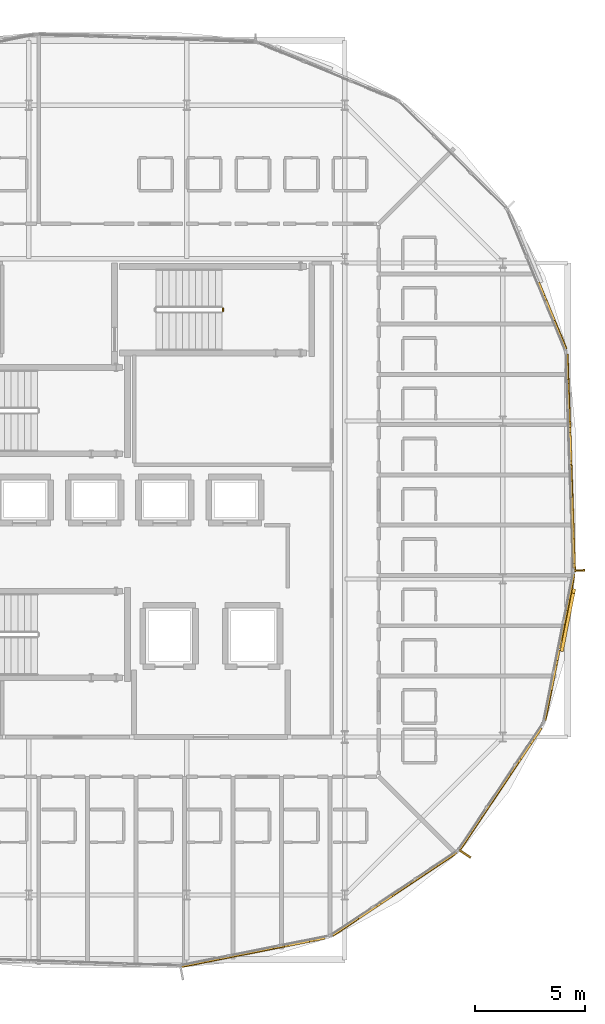
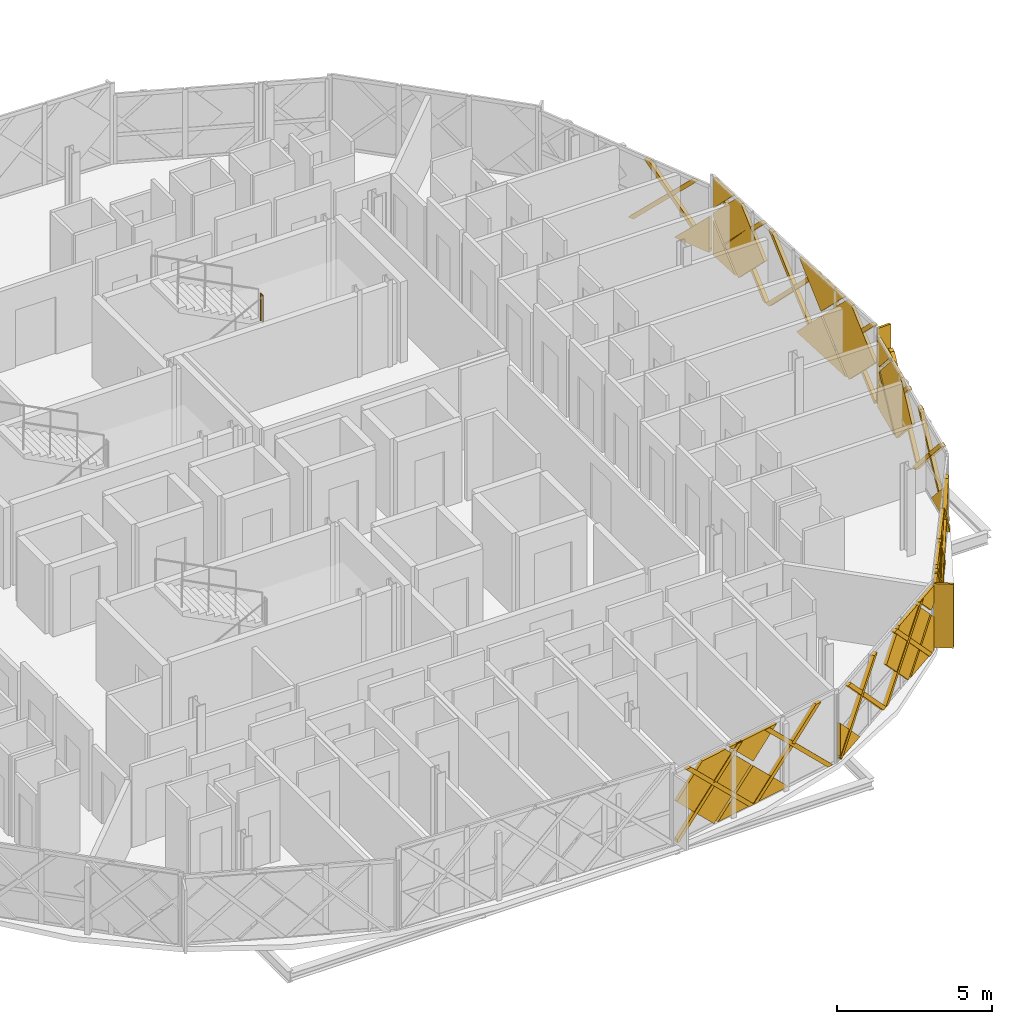
# One storey, part 23 of 25: 45 coverings, 2 shading devices, 1 railing.
"""IFC4 building model written with IfcOpenShell, lengths in metres."""

from ifc_helpers import new_model, si_unit, direction, frame, origin, origin_2d, place, context, subcontext, project, spatial, polyline, rectangle, circle, outline, extrude, material, layer, layer_set, type_object, element, save


model = new_model("IFC4")

# Units and contexts
model_context = context("Model", 3, precision=1e-05, world=origin(), true_north=direction((0.0, 1.0)))
body_context = subcontext(model_context, "Body", "Model", "MODEL_VIEW")
ifc_project = project(units=[si_unit("LENGTHUNIT", "METRE"), si_unit("AREAUNIT", "SQUARE_METRE"), si_unit("VOLUMEUNIT", "CUBIC_METRE"), si_unit("PLANEANGLEUNIT", "RADIAN"), si_unit("MASSUNIT", "GRAM", prefix="KILO")], contexts=[model_context])

# Site, building, storey
site_placement = place(None, origin())
site = spatial("IfcSite", under=ifc_project, at=site_placement, CompositionType="ELEMENT")
building_placement = place(site_placement, origin())
building = spatial("IfcBuilding", under=site, at=building_placement, Name="Zevrakil Square Congress Hotel", CompositionType="ELEMENT")
storey_placement = place(building_placement, frame((0.0, 0.0, 28.300048828125)))
storey = spatial("IfcBuildingStorey", under=building, at=storey_placement, Name="L08", CompositionType="ELEMENT", Elevation=28.300048828125)

# Coverings
ifc_material_1 = material(Name="Architectural White Fibre-C GRC", Category="concrete")
ifc_layer_1 = layer(ifc_material_1, 0.06494140625)
ifc_layer_set_1 = layer_set([ifc_layer_1], Name="Architectural White Fibre-C GRC")
covering_type_1 = type_object("IfcCoveringType", Name="COV-DIA-WHITE", PredefinedType="CLADDING", material=ifc_layer_set_1)
covering_1_placement = place(storey_placement, frame((151.773193359375, 6.94873046875, 1.58984375), z_axis=(0.195074358725, -0.980788280172, 0.000586553491), x_axis=(0.693609627274, 0.137532945708, -0.707099974401)))
element("IfcCovering", 1, at=covering_1_placement, inside=storey, type_object=covering_type_1, Name="L08 45-degree white GRC diamond facade cassette 2782", PredefinedType="CLADDING", context=body_context, shape_type="SweptSolid", body=[
    extrude(outline(polyline([(0.0, 0.0), (2.135496846686384, 0.0), (6.252147105900718e-05, -2.1353939480228528), (0.0, 0.0)])), origin(), (0.0, 0.0, -1.0), 0.1201171875),
])
covering_2_placement = place(storey_placement, frame((151.68505859375, 6.93115234375, 1.679931640625), z_axis=(0.195077218096, -0.980787695221, 0.000613092654), x_axis=(-0.693427586679, -0.138363738774, -0.707116438662)))
element("IfcCovering", 2, at=covering_2_placement, inside=storey, type_object=covering_type_1, Name="L08 45-degree white GRC diamond facade cassette 2783", PredefinedType="CLADDING", context=body_context, shape_type="SweptSolid", body=[
    extrude(outline(polyline([(0.0, 0.0), (2.248693057694774, -2.220446049250313e-16), (2.2486004493777707, -2.2345065721263824), (2.234444309736594, -2.24866231976762), (0.6929328886448523, -2.2487470149399145), (-2.6880938545859046e-05, -1.555768042789045), (0.0, 0.0)])), origin(), (0.0, 0.0, -1.0), 0.1201171875),
])
covering_3_placement = place(storey_placement, frame((151.773193359375, 6.94873046875, 1.77001953125), z_axis=(0.195093185488, -0.980784452941, 0.000711228755), x_axis=(-0.693525207754, -0.137440046102, 0.707200834232)))
element("IfcCovering", 3, at=covering_3_placement, inside=storey, type_object=covering_type_1, Name="L08 45-degree white GRC diamond facade cassette 2784", PredefinedType="CLADDING", context=body_context, shape_type="SweptSolid", body=[
    extrude(outline(polyline([(0.0, 0.0), (1.4281795449556403, 0.0), (0.00017862451576189375, -1.4283815989094044), (0.0, 0.0)])), origin(), (0.0, 0.0, -1.0), 0.1201171875),
])
covering_4_placement = place(storey_placement, frame((156.638916015625, 8.51220703125, 0.079833984375), z_axis=(0.555618744306, -0.83143696172, 0.000624229289), x_axis=(-0.831437123709, -0.555618852558, 0.0)))
element("IfcCovering", 4, at=covering_4_placement, inside=storey, type_object=covering_type_1, Name="L08 45-degree white GRC diamond facade cassette 2789", PredefinedType="CLADDING", context=body_context, shape_type="SweptSolid", body=[
    extrude(outline(polyline([(0.0, 0.0), (1.4100444252712594, -1.0842021724855044e-19), (1.4100434530275447, -1.4101565247423773), (0.0, 0.0)])), origin(), (0.0, 0.0, -1.0), 0.1201171875),
])
covering_5_placement = place(storey_placement, frame((160.97021484375, 11.407470703125, 1.58984375), z_axis=(0.555555507365, -0.831479252655, 0.000575013915), x_axis=(0.588468330439, 0.392698231195, -0.706748274343)))
element("IfcCovering", 5, at=covering_5_placement, inside=storey, type_object=covering_type_1, Name="L08 45-degree white GRC diamond facade cassette 2790", PredefinedType="CLADDING", context=body_context, shape_type="SweptSolid", body=[
    extrude(outline(polyline([(0.0, 0.0), (0.2625360828205015, 0.0), (1.1986935360692772, -0.9369160267049208), (-0.0009712789866034299, -2.1353657576538128), (0.0, 0.0)])), origin(), (0.0, 0.0, -1.0), 0.1201171875),
])
covering_6_placement = place(storey_placement, frame((160.8955078125, 11.357421875, 1.679931640625), z_axis=(0.555542659204, -0.831487823923, 0.000593693602), x_axis=(-0.587693344053, -0.393160952847, -0.707135770918)))
element("IfcCovering", 6, at=covering_6_placement, inside=storey, type_object=covering_type_1, Name="L08 45-degree white GRC diamond facade cassette 2791", PredefinedType="CLADDING", context=body_context, shape_type="SweptSolid", body=[
    extrude(outline(polyline([(0.0, 0.0), (2.248631630275603, -2.220446049250313e-16), (2.2484452077394046, -2.248630349384907), (0.904972097077423, -2.248536069355281), (3.069536360611469e-05, -1.3435200779103948), (0.0, 0.0)])), origin(), (0.0, 0.0, -1.0), 0.1201171875),
])
covering_7_placement = place(storey_placement, frame((160.97021484375, 11.40771484375, 1.77001953125), z_axis=(0.555469523831, -0.831536783972, 0.000430112817), x_axis=(-0.588229495466, -0.392573686812, 0.707016238206)))
element("IfcCovering", 7, at=covering_7_placement, inside=storey, type_object=covering_type_1, Name="L08 45-degree white GRC diamond facade cassette 2792", PredefinedType="CLADDING", context=body_context, shape_type="SweptSolid", body=[
    extrude(outline(polyline([(0.0, 0.0), (1.2161859726758792, 0.0), (0.4765378189989974, -0.7394589777395373), (-2.314353810911607e-05, -0.26239243134571577), (0.0, 0.0)])), origin(), (0.0, 0.0, -1.0), 0.1201171875),
])
covering_8_placement = place(storey_placement, frame((163.1005859375, 14.385986328125, 1.58984375), z_axis=(0.831477563043, -0.555557978924, 0.000627862189), x_axis=(0.393187686399, 0.58766638793, -0.707143309211)))
element("IfcCovering", 8, at=covering_8_placement, inside=storey, type_object=covering_type_1, Name="L08 45-degree white GRC diamond facade cassette 2797", PredefinedType="CLADDING", context=body_context, shape_type="SweptSolid", body=[
    extrude(outline(polyline([(0.0, 0.0), (2.135365980213563, 0.0), (7.921732547955251e-05, -2.135508233026097), (0.0, 0.0)])), origin(), (0.0, 0.0, -1.0), 0.1201171875),
])
covering_9_placement = place(storey_placement, frame((163.050537109375, 14.31103515625, 1.679931640625), z_axis=(0.831453936418, -0.555593335032, 0.000630621714), x_axis=(-0.392476709425, -0.588150036772, -0.707136172744)))
element("IfcCovering", 9, at=covering_9_placement, inside=storey, type_object=covering_type_1, Name="L08 45-degree white GRC diamond facade cassette 2798", PredefinedType="CLADDING", context=body_context, shape_type="SweptSolid", body=[
    extrude(outline(polyline([(0.0, 0.0), (2.2486303581180462, 2.220446049250313e-16), (2.2485320707687375, -2.2345633499628867), (2.234375536060475, -2.2487187022064434), (0.9050196862340523, -2.2485855452042656), (-1.709717554077006e-05, -1.3434731174807366), (0.0, 0.0)])), origin(), (0.0, 0.0, -1.0), 0.1201171875),
])
covering_10_placement = place(storey_placement, frame((163.100341796875, 14.385986328125, 1.77001953125), z_axis=(0.831482035668, -0.555551500103, 0.000393819857), x_axis=(-0.393085272121, -0.587821081088, 0.70707166926)))
element("IfcCovering", 10, at=covering_10_placement, inside=storey, type_object=covering_type_1, Name="L08 45-degree white GRC diamond facade cassette 2799", PredefinedType="CLADDING", context=body_context, shape_type="SweptSolid", body=[
    extrude(outline(polyline([(0.0, 0.0), (1.2160907000420487, -1.1102230246251565e-16), (-0.00021585466904883166, -1.216185959051661), (0.0, 0.0)])), origin(), (0.0, 0.0, -1.0), 0.1201171875),
])
covering_11_placement = place(storey_placement, frame((165.435546875, 18.931884765625, 0.079833984375), z_axis=(0.980773211956, -0.19515031954, 0.000509404369), x_axis=(-0.19515034486, -0.980773339208, 0.0)))
element("IfcCovering", 11, at=covering_11_placement, inside=storey, type_object=covering_type_1, Name="L08 45-degree white GRC diamond facade cassette 2804", PredefinedType="CLADDING", context=body_context, shape_type="SweptSolid", body=[
    extrude(outline(polyline([(0.0, 0.0), (1.409920564436228, 2.710505431213761e-20), (1.4100634968177175, -1.4101564329627403), (0.0, 0.0)])), origin(), (0.0, 0.0, -1.0), 0.1201171875),
])
covering_12_placement = place(storey_placement, frame((166.450927734375, 24.0419921875, 1.58984375), z_axis=(0.980781278993, -0.195109509269, 0.000601805982), x_axis=(0.138447023602, 0.693768918985, -0.706765242995)))
element("IfcCovering", 12, at=covering_12_placement, inside=storey, type_object=covering_type_1, Name="L08 45-degree white GRC diamond facade cassette 2805", PredefinedType="CLADDING", context=body_context, shape_type="SweptSolid", body=[
    extrude(outline(polyline([(0.0, 0.0), (0.2625297374892325, 2.7755575615628914e-17), (1.1985460986711969, -0.9370570501961302), (-0.0010509699582379461, -2.1354965878462684), (0.0, 0.0)])), origin(), (0.0, 0.0, -1.0), 0.1201171875),
])
covering_13_placement = place(storey_placement, frame((166.433349609375, 23.95361328125, 1.679931640625), z_axis=(0.980787157569, -0.195080212982, 0.000511908425), x_axis=(-0.137581540049, -0.693561869271, -0.707137365249)))
element("IfcCovering", 13, at=covering_13_placement, inside=storey, type_object=covering_type_1, Name="L08 45-degree white GRC diamond facade cassette 2806", PredefinedType="CLADDING", context=body_context, shape_type="SweptSolid", body=[
    extrude(outline(polyline([(0.0, 0.0), (2.2486266337917193, 2.220446049250313e-16), (2.248497942676632, -2.248693055844538), (0.6926963214334589, -2.248597127900597), (-0.00024299135435712493, -1.5555977001966472), (0.0, 0.0)])), origin(), (0.0, 0.0, -1.0), 0.1201171875),
])
covering_14_placement = place(storey_placement, frame((166.450927734375, 24.0419921875, 1.77001953125), z_axis=(0.98079642899, -0.195033474414, 0.000555642562), x_axis=(-0.138292760284, -0.693440658152, 0.70711750514)))
element("IfcCovering", 14, at=covering_14_placement, inside=storey, type_object=covering_type_1, Name="L08 45-degree white GRC diamond facade cassette 2807", PredefinedType="CLADDING", context=body_context, shape_type="SweptSolid", body=[
    extrude(outline(polyline([(0.0, 0.0), (1.4283478300670547, -1.1102230246251565e-16), (0.5829706164015185, -0.8454031335227915), (-8.905165942288407e-05, -0.2624960058562781), (0.0, 0.0)])), origin(), (0.0, 0.0, -1.0), 0.1201171875),
])
covering_15_placement = place(storey_placement, frame((166.392822265625, 27.70166015625, 1.58984375), z_axis=(0.999406652552, 0.034437210547, 0.000649126146), x_axis=(-0.023893122497, 0.706733412812, -0.707076376293)))
element("IfcCovering", 15, at=covering_15_placement, inside=storey, type_object=covering_type_1, Name="L08 45-degree white GRC diamond facade cassette 2812", PredefinedType="CLADDING", context=body_context, shape_type="SweptSolid", body=[
    extrude(outline(polyline([(0.0, 0.0), (2.135568117182956, 0.0), (-5.777460980627147e-05, -2.1354431437517807), (0.0, 0.0)])), origin(), (0.0, 0.0, -1.0), 0.1201171875),
])
covering_16_placement = place(storey_placement, frame((166.1669921875, 34.265625, 1.437744140625), z_axis=(0.999403716679, 0.0345242018, 0.000539052706), x_axis=(0.000539374247, 0.0, -0.999999854538)))
element("IfcCovering", 16, at=covering_16_placement, inside=storey, type_object=covering_type_1, Name="L08 45-degree white GRC diamond facade cassette 2813", PredefinedType="CLADDING", context=body_context, shape_type="SweptSolid", body=[
    extrude(outline(polyline([(0.0, 0.0), (1.3579103537747632, 6.776263578034403e-21), (1.3579356369426065, -1.357742995869635), (0.0, 0.0)])), origin(), (0.0, 0.0, -1.0), 0.1201171875),
])
covering_17_placement = place(storey_placement, frame((166.39599609375, 27.61181640625, 1.679931640625), z_axis=(0.999410006016, 0.034340568605, 0.000604337393), x_axis=(0.024709512487, -0.706674457124, -0.707107241966)))
element("IfcCovering", 17, at=covering_17_placement, inside=storey, type_object=covering_type_1, Name="L08 45-degree white GRC diamond facade cassette 2814", PredefinedType="CLADDING", context=body_context, shape_type="SweptSolid", body=[
    extrude(outline(polyline([(0.0, 0.0), (2.2487224797835728, -2.220446049250313e-16), (2.248663640037194, -2.2345114157000974), (2.234507684509556, -2.2486673476084635), (0.2474080099726761, -2.2485778395087097), (5.2397493692790675e-05, -2.0012217716229035), (0.0, 0.0)])), origin(), (0.0, 0.0, -1.0), 0.1201171875),
])
covering_18_placement = place(storey_placement, frame((166.220458984375, 32.73876953125, 0.08984375), z_axis=(0.999407858997, 0.03440247506, 0.000633313279), x_axis=(0.02387812995, -0.706688124401, 0.707122146266)))
element("IfcCovering", 18, at=covering_18_placement, inside=storey, type_object=covering_type_1, Name="L08 45-degree white GRC diamond facade cassette 2815", PredefinedType="CLADDING", context=body_context, shape_type="SweptSolid", body=[
    extrude(outline(polyline([(0.0, 0.0), (2.248674982653686, 0.0), (2.2487958524891085, -2.0010908363577617), (2.001272876259912, -2.248624597656555), (0.08811571468115553, -2.2486991717898874), (7.655050493426963e-05, -2.1606519911974233), (0.0, 0.0)])), origin(), (0.0, 0.0, -1.0), 0.1201171875),
])
covering_19_placement = place(storey_placement, frame((166.392822265625, 27.70166015625, 1.77001953125), z_axis=(0.99940917882, 0.034363903365, 0.000644542496), x_axis=(0.023843654483, -0.706710283679, 0.70710116326)))
element("IfcCovering", 19, at=covering_19_placement, inside=storey, type_object=covering_type_1, Name="L08 45-degree white GRC diamond facade cassette 2816", PredefinedType="CLADDING", context=body_context, shape_type="SweptSolid", body=[
    extrude(outline(polyline([(0.0, 0.0), (1.8737788038222072, -1.1102230246251565e-16), (-7.052246358929537e-05, -1.873820329809524), (0.0, 0.0)])), origin(), (0.0, 0.0, -1.0), 0.1201171875),
])
covering_20_placement = place(storey_placement, frame((166.206298828125, 33.093505859375, 3.094970703125), z_axis=(0.999409753715, 0.034347554543, 0.000624240945), x_axis=(-0.034347561236, 0.999409948438, 0.0)))
element("IfcCovering", 20, at=covering_20_placement, inside=storey, type_object=covering_type_1, Name="L08 45-degree white GRC diamond facade cassette 2817", PredefinedType="CLADDING", context=body_context, shape_type="SweptSolid", body=[
    extrude(outline(polyline([(0.0, 0.0), (1.1728111596815145, 0.0), (1.1727860027763126, -1.1726076503439962), (0.0, 0.0)])), origin(), (0.0, 0.0, -1.0), 0.1201171875),
])
covering_21_placement = place(storey_placement, frame((165.579345703125, 35.793701171875, 0.079833984375), z_axis=(0.923894304233, 0.382647378627, 0.000546109815), x_axis=(0.382647435687, -0.923894442002, 0.0)))
element("IfcCovering", 21, at=covering_21_placement, inside=storey, type_object=covering_type_1, Name="L08 45-degree white GRC diamond facade cassette 2824", PredefinedType="CLADDING", context=body_context, shape_type="SweptSolid", body=[
    extrude(outline(polyline([(0.0, 0.0), (1.4100467713356626, 0.0), (1.4099920721498573, -1.4101564602796774), (0.0, 0.0)])), origin(), (0.0, 0.0, -1.0), 0.1201171875),
])
ifc_material_2 = material(Name="Anodised Champagne Aluminium", Category="aluminium")
ifc_layer_2 = layer(ifc_material_2, 0.0849609375)
ifc_layer_set_2 = layer_set([ifc_layer_2], Name="Anodised Champagne Aluminium")
covering_type_2 = type_object("IfcCoveringType", Name="COV-DIAGRID-45", PredefinedType="MOLDING", material=ifc_layer_set_2)
covering_22_placement = place(storey_placement, frame((148.665283203125, 6.30419921875, 0.079833984375), z_axis=(0.195658993815, -0.980671992812, 2.5578676e-05), x_axis=(-0.980671993132, -0.195658993879, -1.1924e-08)))
element("IfcCovering", 22, at=covering_22_placement, inside=storey, type_object=covering_type_2, Name="L08 45-degree aluminium diagrid rib 2785", PredefinedType="MOLDING", context=body_context, shape_type="SweptSolid", body=[
    extrude(outline(polyline([(0.0, 0.0), (0.08589655962117336, 0.0), (0.08589655811610734, -0.12622070308370886), (-2.4877928205681306, -2.7001952834484584), (-2.700140291051861, -2.7001952797743436), (0.0, 0.0)])), origin(), (0.0, 0.0, -1.0), 0.14501953125),
])
covering_23_placement = place(storey_placement, frame((151.960693359375, 6.959716796875, 0.079833984375), z_axis=(0.195119821406, -0.980779279278, 0.000510523305), x_axis=(-0.980779407061, -0.195119846977, -2.88164e-07)))
element("IfcCovering", 23, at=covering_23_placement, inside=storey, type_object=covering_type_2, Name="L08 45-degree aluminium diagrid rib 2786", PredefinedType="MOLDING", context=body_context, shape_type="SweptSolid", body=[
    extrude(outline(polyline([(0.0, 0.0), (0.2121080148443237, -3.3881317890172014e-21), (-2.488032606478949, -2.700194947419896), (-2.7000929846418815, -2.700194825189789), (0.0, 0.0)])), origin(), (0.0, 0.0, -1.0), 0.14501953125),
])
for number, where, z_axis, x_axis, name in (
    (24, (148.947509765625, 6.36181640625, 2.780029296875), (0.195673274786, -0.980668412455, 0.001197642829), (0.980669115765, 0.195673415118, 0.0), "L08 45-degree aluminium diagrid rib 2787"),
    (25, (152.242919921875, 7.017333984375, 2.780029296875), (0.195673274786, -0.980668412455, 0.001197642829), (0.980669115765, 0.195673415118, 0.0), "L08 45-degree aluminium diagrid rib 2788"),
):
    element("IfcCovering", number, at=place(storey_placement, frame(where, z_axis=z_axis, x_axis=x_axis)), inside=storey, type_object=covering_type_2, Name=name, PredefinedType="MOLDING", context=body_context, shape_type="SweptSolid", body=[
        extrude(outline(polyline([(0.0, 0.0), (0.21210804863334146, 0.0), (2.912106115953093, -2.7001972490124215), (2.6999980673197514, -2.7001972490124215), (0.0, 0.0)])), origin(), (0.0, 0.0, -1.0), 0.14501953125),
    ])
covering_24_placement = place(storey_placement, frame((155.552001953125, 7.755859375, 0.079833984375), z_axis=(0.55576643036, -0.831338410946, 0.000348383805), x_axis=(-0.831338461376, -0.555766464116, -1.01561e-07)))
element("IfcCovering", 26, at=covering_24_placement, inside=storey, type_object=covering_type_2, Name="L08 45-degree aluminium diagrid rib 2793", PredefinedType="MOLDING", context=body_context, shape_type="SweptSolid", body=[
    extrude(outline(polyline([(0.0, 0.0), (0.08606259671632706, 0.0), (0.08626554738878801, -0.12622074275634484), (-2.337910228593106, -2.5500487363480557), (-2.549985807519357, -2.5500487380370247), (0.0, 0.0)])), origin(), (0.0, 0.0, -1.0), 0.14501953125),
])
covering_25_placement = place(storey_placement, frame((158.345703125, 9.62255859375, 0.079833984375), z_axis=(0.555761846048, -0.831341477784, 0.000343210771), x_axis=(-0.831341526768, -0.555761878749, 1.09687e-07)))
element("IfcCovering", 27, at=covering_25_placement, inside=storey, type_object=covering_type_2, Name="L08 45-degree aluminium diagrid rib 2794", PredefinedType="MOLDING", context=body_context, shape_type="SweptSolid", body=[
    extrude(outline(polyline([(0.0, 0.0), (0.2122785427952182, 1.3552527156068805e-20), (-2.337909685109951, -2.5500492347521795), (-2.5499852636652354, -2.5500492812981452), (0.0, 0.0)])), origin(), (0.0, 0.0, -1.0), 0.14501953125),
])
covering_26_placement = place(storey_placement, frame((155.915283203125, 8.00048828125, 2.6298828125), z_axis=(0.55562983124, -0.831429509131, 0.000679693119), x_axis=(0.831429701307, 0.555629959402, -3.25488e-07)))
element("IfcCovering", 28, at=covering_26_placement, inside=storey, type_object=covering_type_2, Name="L08 45-degree aluminium diagrid rib 2795", PredefinedType="MOLDING", context=body_context, shape_type="SweptSolid", body=[
    extrude(outline(polyline([(0.0, 0.0), (0.2119399132751827, 0.0), (2.7619904868327656, -2.5500485181683357), (2.5499149217120256, -2.550048656180518), (0.0, 0.0)])), origin(), (0.0, 0.0, -1.0), 0.14501953125),
])
covering_27_placement = place(storey_placement, frame((158.708984375, 9.8671875, 2.6298828125), z_axis=(0.55562983124, -0.831429509131, 0.000679693119), x_axis=(0.831429701061, 0.55562995977, 3.2528e-07)))
element("IfcCovering", 29, at=covering_27_placement, inside=storey, type_object=covering_type_2, Name="L08 45-degree aluminium diagrid rib 2796", PredefinedType="MOLDING", context=body_context, shape_type="SweptSolid", body=[
    extrude(outline(polyline([(0.0, 0.0), (0.21207556512078474, 0.0), (2.761988827339912, -2.550050315585306), (2.550048914064774, -2.5500501776614017), (0.0, 0.0)])), origin(), (0.0, 0.0, -1.0), 0.14501953125),
])
covering_28_placement = place(storey_placement, frame((161.358642578125, 11.732421875, 0.079833984375), z_axis=(0.831353869222, -0.55574284968, 0.00079319626), x_axis=(-0.555743024673, -0.831354130637, 2.53597e-07)))
element("IfcCovering", 30, at=covering_28_placement, inside=storey, type_object=covering_type_2, Name="L08 45-degree aluminium diagrid rib 2800", PredefinedType="MOLDING", context=body_context, shape_type="SweptSolid", body=[
    extrude(outline(polyline([(0.0, 0.0), (0.08606259597474507, 0.0), (0.08606262798387905, -0.12622066341846153), (-2.337973274408114, -2.550050245839032), (-2.5500488513702693, -2.550050241993607), (0.0, 0.0)])), origin(), (0.0, 0.0, -1.0), 0.14501953125),
])
covering_29_placement = place(storey_placement, frame((163.225341796875, 14.526123046875, 0.079833984375), z_axis=(0.831429509131, -0.55562983124, 0.000679693119), x_axis=(-0.555629959402, -0.831429701307, -3.25488e-07)))
element("IfcCovering", 31, at=covering_29_placement, inside=storey, type_object=covering_type_2, Name="L08 45-degree aluminium diagrid rib 2801", PredefinedType="MOLDING", context=body_context, shape_type="SweptSolid", body=[
    extrude(outline(polyline([(0.0, 0.0), (0.2119399132751827, 0.0), (-2.337975008436843, -2.550048656180518), (-2.5500505735575825, -2.5500485181683357), (0.0, 0.0)])), origin(), (0.0, 0.0, -1.0), 0.14501953125),
])
for number, where, z_axis, x_axis, name in (
    (32, (161.6005859375, 12.097412109375, 2.6298828125), (0.831341452441, -0.555761829106, 0.000422803049), (0.555761878828, 0.831341526715, -1.35253e-07), "L08 45-degree aluminium diagrid rib 2802"),
    (33, (163.46728515625, 14.89111328125, 2.6298828125), (0.831341452441, -0.555761829106, 0.000422803049), (0.555761878828, 0.831341526715, -1.35253e-07), "L08 45-degree aluminium diagrid rib 2803"),
):
    element("IfcCovering", number, at=place(storey_placement, frame(where, z_axis=z_axis, x_axis=x_axis)), inside=storey, type_object=covering_type_2, Name=name, PredefinedType="MOLDING", context=body_context, shape_type="SweptSolid", body=[
        extrude(outline(polyline([(0.0, 0.0), (0.21207557855529036, 6.776263578034403e-21), (2.7624001151203856, -2.5500486824291553), (2.5501215723251742, -2.5500487398242377), (0.0, 0.0)])), origin(), (0.0, 0.0, -1.0), 0.14501953125),
    ])
covering_30_placement = place(storey_placement, frame((165.20166015625, 17.62841796875, 0.079833984375), z_axis=(0.980832441089, -0.19485273516, 0.000366206805), x_axis=(-0.194852748028, -0.980832506897, -5.49448e-07)))
element("IfcCovering", 34, at=covering_30_placement, inside=storey, type_object=covering_type_2, Name="L08 45-degree aluminium diagrid rib 2808", PredefinedType="MOLDING", context=body_context, shape_type="SweptSolid", body=[
    extrude(outline(polyline([(0.0, 0.0), (0.08584892620735605, -8.470329472543003e-22), (0.08589642832739253, -0.1262207823798221), (-2.487940908794476, -2.7001940986525588), (-2.7000013116980113, -2.700194004832001), (0.0, 0.0)])), origin(), (0.0, 0.0, -1.0), 0.14501953125),
])
covering_31_placement = place(storey_placement, frame((165.857177734375, 20.923828125, 0.079833984375), z_axis=(-0.980911182964, 0.194456293162, 3.443564e-05), x_axis=(-0.194456293278, -0.980911183546, -3.855e-09)))
element("IfcCovering", 35, at=covering_31_placement, inside=storey, type_object=covering_type_2, Name="L08 45-degree aluminium diagrid rib 2809", PredefinedType="MOLDING", context=body_context, shape_type="SweptSolid", body=[
    extrude(outline(polyline([(0.0, 0.0), (0.21206041063103634, 0.0), (-2.4879396012279167, 2.700195304510923), (-2.700239492128373, 2.7001953028751786), (0.0, 0.0)])), origin(), (0.0, 0.0, -1.0), 0.14501953125),
])
for number, where, z_axis, x_axis, name in (
    (36, (165.25634765625, 17.9111328125, 2.780029296875), (0.980888796024, -0.194565970103, 0.001119425213), (0.19456609201, 0.980889410606, 0.0), "L08 45-degree aluminium diagrid rib 2810"),
    (37, (165.911865234375, 21.20654296875, 2.780029296875), (0.980888796024, -0.194565970103, 0.001119425213), (0.19456609201, 0.980889410606, 0.0), "L08 45-degree aluminium diagrid rib 2811"),
):
    element("IfcCovering", number, at=place(storey_placement, frame(where, z_axis=z_axis, x_axis=x_axis)), inside=storey, type_object=covering_type_2, Name=name, PredefinedType="MOLDING", context=body_context, shape_type="SweptSolid", body=[
        extrude(outline(polyline([(0.0, 0.0), (0.21206041195957603, -6.776263578034403e-21), (2.912198978987818, -2.700197004326254), (2.700138567028242, -2.700197004326254), (0.0, 0.0)])), origin(), (0.0, 0.0, -1.0), 0.14501953125),
    ])
covering_32_placement = place(storey_placement, frame((166.528076171875, 24.530517578125, 0.079833984375), z_axis=(0.999401213462, 0.034597728326, 0.000460136033), x_axis=(0.034597731877, -0.999401319265, 2.42458e-07)))
element("IfcCovering", 38, at=covering_32_placement, inside=storey, type_object=covering_type_2, Name="L08 45-degree aluminium diagrid rib 2818", PredefinedType="MOLDING", context=body_context, shape_type="SweptSolid", body=[
    extrude(outline(polyline([(0.0, 0.0), (0.08598741141695662, -2.117582368135751e-22), (0.0859874420201524, -0.12622068976294576), (-2.802995758994306, -3.0151377289704695), (-3.015036353984163, -3.0151377749002073), (0.0, 0.0)])), origin(), (0.0, 0.0, -1.0), 0.14501953125),
])
covering_33_placement = place(storey_placement, frame((166.412353515625, 27.888671875, 0.079833984375), z_axis=(0.999403841431, 0.034521721638, 0.000460941854), x_axis=(0.034521725302, -0.999403947602, 9.15e-09)))
element("IfcCovering", 39, at=covering_33_placement, inside=storey, type_object=covering_type_2, Name="L08 45-degree aluminium diagrid rib 2819", PredefinedType="MOLDING", context=body_context, shape_type="SweptSolid", body=[
    extrude(outline(polyline([(0.0, 0.0), (0.21228459038698066, 4.235164736271502e-22), (-2.8027439236822826, -3.015137064704816), (-3.0147845189648685, -3.015137068587473), (0.0, 0.0)])), origin(), (0.0, 0.0, -1.0), 0.14501953125),
])
covering_34_placement = place(storey_placement, frame((166.296875, 31.24658203125, 0.079833984375), z_axis=(0.999403125894, 0.034541582692, 0.000520594326), x_axis=(0.034541587373, -0.999403261322, 0.0)))
element("IfcCovering", 40, at=covering_34_placement, inside=storey, type_object=covering_type_2, Name="L08 45-degree aluminium diagrid rib 2820", PredefinedType="MOLDING", context=body_context, shape_type="SweptSolid", body=[
    extrude(outline(polyline([(0.0, 0.0), (0.21204059532446085, 8.470329472543003e-22), (-2.80299640628027, -3.0151371273289267), (-3.015037001604731, -3.0151371273289267), (0.0, 0.0)])), origin(), (0.0, 0.0, -1.0), 0.14501953125),
])
covering_35_placement = place(storey_placement, frame((166.527099609375, 24.50341796875, 3.094970703125), z_axis=(0.999403662228, 0.034521715448, 0.000755704111), x_axis=(-0.034521725317, 0.999403947601, 1.5019e-08)))
element("IfcCovering", 41, at=covering_35_placement, inside=storey, type_object=covering_type_2, Name="L08 45-degree aluminium diagrid rib 2821", PredefinedType="MOLDING", context=body_context, shape_type="SweptSolid", body=[
    extrude(outline(polyline([(0.0, 0.0), (0.21204059528258573, 8.470329472543003e-22), (3.227186664427687, -3.0151376281741094), (3.0149020740407066, -3.015137621801253), (0.0, 0.0)])), origin(), (0.0, 0.0, -1.0), 0.14501953125),
])
covering_36_placement = place(storey_placement, frame((166.41162109375, 27.861328125, 3.094970703125), z_axis=(0.999403720073, 0.034521717446, 0.000674780777), x_axis=(-0.034521725297, 0.999403947602, -1.3395e-08)))
element("IfcCovering", 42, at=covering_36_placement, inside=storey, type_object=covering_type_2, Name="L08 45-degree aluminium diagrid rib 2822", PredefinedType="MOLDING", context=body_context, shape_type="SweptSolid", body=[
    extrude(outline(polyline([(0.0, 0.0), (0.21228459038698066, 8.470329472543003e-22), (3.2271951782551795, -3.0151373619612896), (3.0151545829725945, -3.0151373676451785), (0.0, 0.0)])), origin(), (0.0, 0.0, -1.0), 0.14501953125),
])
covering_37_placement = place(storey_placement, frame((166.2958984375, 31.219482421875, 3.094970703125), z_axis=(0.999389505432, 0.0349192987, 0.001122056705), x_axis=(-0.034919320207, 0.99939013457, -4.24094e-07)))
element("IfcCovering", 43, at=covering_37_placement, inside=storey, type_object=covering_type_2, Name="L08 45-degree aluminium diagrid rib 2823", PredefinedType="MOLDING", context=body_context, shape_type="SweptSolid", body=[
    extrude(outline(polyline([(0.0, 0.0), (0.2120405801789752, 0.0), (3.048868181045698, -2.8366704279460366), (3.0488597315077, -3.0151373862513076), (3.014902254626283, -3.015137439871065), (0.0, 0.0)])), origin(), (0.0, 0.0, -1.0), 0.14501953125),
])
covering_38_placement = place(storey_placement, frame((166.109130859375, 34.580078125, 0.079833984375), z_axis=(0.923853397238, 0.382746091417, 0.000574383293), x_axis=(0.382746154507, -0.923853549655, 8.956e-08)))
element("IfcCovering", 44, at=covering_38_placement, inside=storey, type_object=covering_type_2, Name="L08 45-degree aluminium diagrid rib 2828", PredefinedType="MOLDING", context=body_context, shape_type="SweptSolid", body=[
    extrude(outline(polyline([(0.0, 0.0), (0.0861442841909098, -6.776263578034403e-21), (0.08614429549522518, -0.12622068230387248), (-2.338023643662142, -2.5500494689965825), (-2.5499382603905634, -2.550049453894424), (0.0, 0.0)])), origin(), (0.0, 0.0, -1.0), 0.14501953125),
])
covering_39_placement = place(storey_placement, frame((165.940185546875, 34.984130859375, 2.6298828125), z_axis=(0.923637050463, 0.383266215332, 0.001267752522), x_axis=(-0.383266523652, 0.923637792561, 2.79764e-07)))
element("IfcCovering", 45, at=covering_39_placement, inside=storey, type_object=covering_type_2, Name="L08 45-degree aluminium diagrid rib 2830", PredefinedType="MOLDING", context=body_context, shape_type="SweptSolid", body=[
    extrude(outline(polyline([(0.0, 0.0), (0.21200812060799107, -1.3552527156068805e-20), (2.762176427578192, -2.5500516501017794), (2.549942809462252, -2.5500515314139123), (0.0, 0.0)])), origin(), (0.0, 0.0, -1.0), 0.14501953125),
])

# Railing
ifc_material_3 = material(Name="Steel S355", Category="steel")
railing_type = type_object("IfcRailingType", Name="RLG-STAIR-GUARD-1100", PredefinedType="BALUSTRADE", material=ifc_material_3)
railing_placement = place(storey_placement, frame((150.449951171875, 36.199951171875, 1.699951171875)))
element("IfcRailing", 46, at=railing_placement, inside=storey, type_object=railing_type, Name="L08 ST03 stair guard 2", PredefinedType="BALUSTRADE", context=body_context, shape_type="SweptSolid", body=[
    extrude(circle(Radius=0.02392578125, at=origin_2d()), frame((0.0, 0.0, 1.076171875), z_axis=(0.0, 1.0, 0.0), x_axis=(-1.0, 0.0, 0.0)), (0.0, 0.0, 1.0), 0.150146484375),
    extrude(circle(Radius=0.02099609375, at=origin_2d()), origin(), (0.0, 0.0, 1.0), 1.052001953125),
    extrude(circle(Radius=0.02099609375, at=origin_2d()), frame((0.0, 0.150146484375, 0.0)), (0.0, 0.0, 1.0), 1.052001953125),
])

# Shading devices
ifc_material_4 = material(Name="Aluminium Anodised Bronze", Category="aluminium")
shading_device_type_1 = type_object("IfcShadingDeviceType", Name="SHD-FIN-50", PredefinedType="JALOUSIE", material=ifc_material_4)
shading_device_1_placement = place(storey_placement, frame((166.68310546875, 24.389892578125, 0.099853515625), z_axis=(0.0, 0.0, 1.0), x_axis=(0.999407762793, 0.034411098062, 0.0)))
element("IfcShadingDevice", 47, at=shading_device_1_placement, inside=storey, type_object=shading_device_type_1, Name="L08 aluminium solar shading fin 156", PredefinedType="JALOUSIE", context=body_context, shape_type="SweptSolid", body=[
    extrude(rectangle(XDim=0.5, YDim=0.080078125, at=origin_2d()), origin(), (0.0, 0.0, 1.0), 2.97509765625),
])
ifc_material_5 = material(Name="Aluminium Anodised Bronze", Category="aluminium")
shading_device_type_2 = type_object("IfcShadingDeviceType", Name="SHD-FIN-65", PredefinedType="USERDEFINED", material=ifc_material_5)
shading_device_2_placement = place(storey_placement, frame((161.464599609375, 11.486083984375, 0.10009765625), z_axis=(0.0, 0.0, 1.0), x_axis=(0.831469612303, -0.55557023302, 0.0)))
element("IfcShadingDevice", 48, at=shading_device_2_placement, inside=storey, type_object=shading_device_type_2, Name="L08 aluminium solar shading fin 155", ObjectType="SOLAR FIN", PredefinedType="USERDEFINED", context=body_context, shape_type="SweptSolid", body=[
    extrude(rectangle(XDim=0.64990234375, YDim=0.080078125, at=origin_2d()), origin(), (0.0, 0.0, 1.0), 2.510009765625),
])

save(model, "model.ifc")
